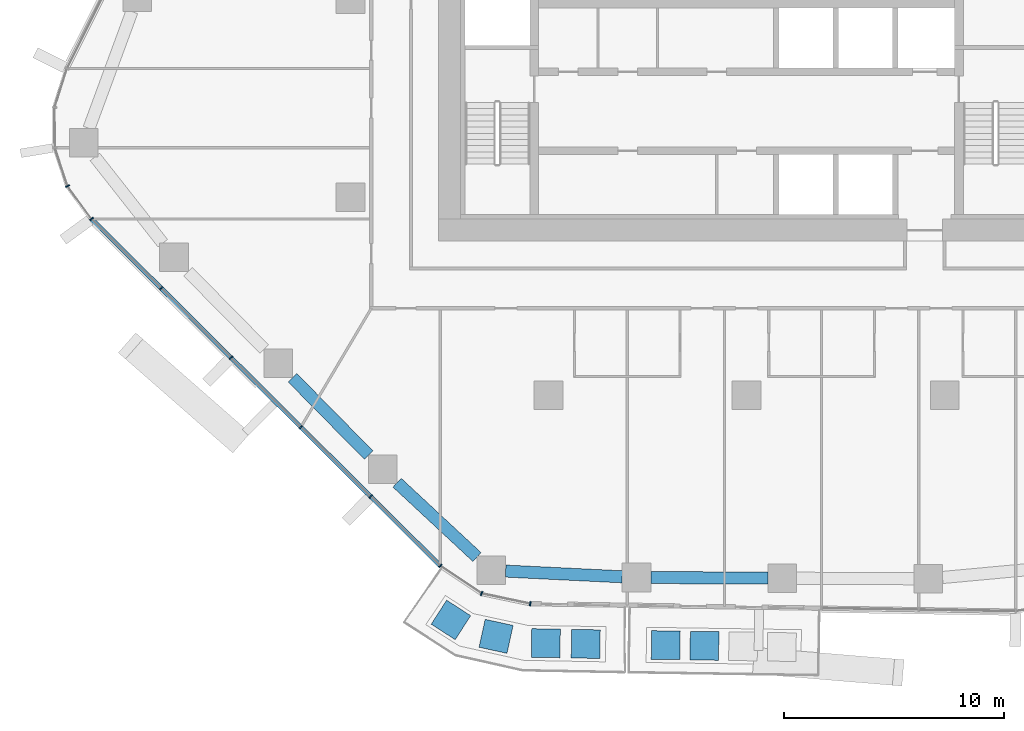
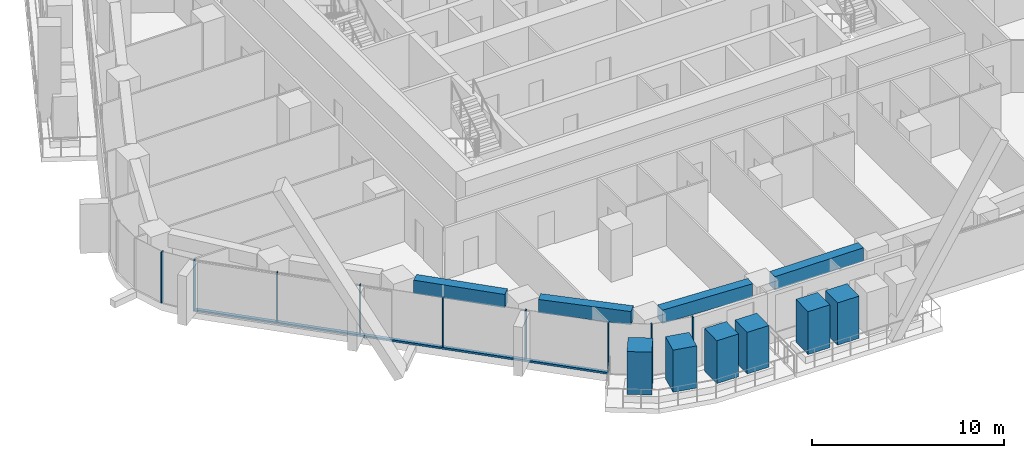
# One storey, part 2 of 25: 16 members, 4 beams, 3 elements without a shape of their own.
"""IFC4 building model written with IfcOpenShell, lengths in metres."""

from ifc_helpers import new_model, si_unit, direction, frame, origin, origin_2d, place, context, subcontext, project, spatial, rectangle, extrude, material, layer, layer_set, material_profile, profile_set, type_object, element, aggregate, save


model = new_model("IFC4")

# Units and contexts
model_context = context("Model", 3, precision=1e-05, world=origin(), true_north=direction((0.0, 1.0)))
body_context = subcontext(model_context, "Body", "Model", "MODEL_VIEW")
ifc_project = project(units=[si_unit("LENGTHUNIT", "METRE"), si_unit("AREAUNIT", "SQUARE_METRE"), si_unit("VOLUMEUNIT", "CUBIC_METRE"), si_unit("PLANEANGLEUNIT", "RADIAN"), si_unit("MASSUNIT", "GRAM", prefix="KILO")], contexts=[model_context])

# Site, building, storey
site_placement = place(None, origin())
site = spatial("IfcSite", under=ifc_project, at=site_placement, CompositionType="ELEMENT")
building_placement = place(site_placement, origin())
building = spatial("IfcBuilding", under=site, at=building_placement, Name="Dongbaek Canopy Tower", CompositionType="ELEMENT")
storey_placement = place(building_placement, frame((0.0, 0.0, 102.60009765625)))
storey = spatial("IfcBuildingStorey", under=building, at=storey_placement, Name="L21", CompositionType="ELEMENT", Elevation=102.60009765625)

# Curtain wall, members
ifc_material_1 = material(Name="Aluminium 6063-T6 pale anodised", Category="aluminium")
ifc_layer = layer(ifc_material_1, 0.199951171875)
ifc_layer_set = layer_set([ifc_layer], Name="CW-1 unitised tower curtain wall")
curtain_wall_type = type_object("IfcCurtainWallType", Name="CW-1 unitised tower curtain wall", PredefinedType="NOTDEFINED", material=ifc_layer_set)
curtain_wall_1_placement = place(storey_placement, origin())
curtain_wall_1 = element("IfcCurtainWall", 1, at=curtain_wall_1_placement, inside=storey, type_object=curtain_wall_type, Name="CW-1 curtain wall K3.1", PredefinedType="NOTDEFINED")
ifc_material_2 = material(Name="Aluminium 6063-T6 pale anodised", Category="aluminium")
ifc_material_profile_1 = material_profile(ifc_material_2, rectangle(XDim=0.199951171875, YDim=0.06005859375, at=origin_2d()), Name="CW-1 mullion 60 x 200")
ifc_profile_set_1 = profile_set([ifc_material_profile_1], Name="Aluminium 6063-T6 pale anodised")
member_type_1 = type_object("IfcMemberType", Name="CW-1 mullion 60 x 200", PredefinedType="MULLION", material=ifc_profile_set_1)
member_1_placement = place(storey_placement, frame((-30.861328125, -8.502685546875, 0.0), z_axis=(0.0, 0.0, 1.0), x_axis=(-0.889270102172, -0.457382427934, 0.0)))
member_1 = element("IfcMember", 2, at=member_1_placement, type_object=member_type_1, Name="CW-1 mullion K3.1.4", PredefinedType="MULLION", context=body_context, shape_type="SweptSolid", body=[
    extrude(rectangle(XDim=0.199951171875, YDim=0.06005859375, at=origin_2d()), origin(), (0.0, 0.0, 1.0), 3.25),
])
member_2_placement = place(storey_placement, frame((-29.770263671875, -9.993896484375, 0.0), z_axis=(0.0, 0.0, 1.0), x_axis=(-0.80706183949, -0.59046692307, 0.0)))
member_2 = element("IfcMember", 3, at=member_2_placement, type_object=member_type_1, Name="CW-1 mullion K3.1.5", PredefinedType="MULLION", context=body_context, shape_type="SweptSolid", body=[
    extrude(rectangle(XDim=0.199951171875, YDim=0.06005859375, at=origin_2d()), origin(), (0.0, 0.0, 1.0), 3.25),
])
aggregate(curtain_wall_1, [member_1, member_2])

curtain_wall_2_placement = place(storey_placement, origin())
curtain_wall_2 = element("IfcCurtainWall", 4, at=curtain_wall_2_placement, inside=storey, type_object=curtain_wall_type, Name="CW-1 curtain wall F3.1", PredefinedType="NOTDEFINED")
member_3_placement = place(storey_placement, frame((-26.6025390625, -13.143798828125, 0.119873046875), z_axis=(0.0, 0.0, 1.0), x_axis=(-0.705105030819, -0.709102880768, 0.0)))
member_3 = element("IfcMember", 5, at=member_3_placement, type_object=member_type_1, Name="CW-1 mullion F3.1.2", PredefinedType="MULLION", context=body_context, shape_type="SweptSolid", body=[
    extrude(rectangle(XDim=0.199951171875, YDim=0.06005859375, at=origin_2d()), origin(), (0.0, 0.0, 1.0), 3.130126953125),
])
member_4_placement = place(storey_placement, frame((-23.42919921875, -16.299072265625, 0.119873046875), z_axis=(0.0, 0.0, 1.0), x_axis=(-0.705105030819, -0.709102880768, 0.0)))
member_4 = element("IfcMember", 6, at=member_4_placement, type_object=member_type_1, Name="CW-1 mullion F3.1.3", PredefinedType="MULLION", context=body_context, shape_type="SweptSolid", body=[
    extrude(rectangle(XDim=0.199951171875, YDim=0.06005859375, at=origin_2d()), origin(), (0.0, 0.0, 1.0), 3.130126953125),
])
member_5_placement = place(storey_placement, frame((-20.256103515625, -19.45458984375, 0.119873046875), z_axis=(0.0, 0.0, 1.0), x_axis=(-0.705105030819, -0.709102880768, 0.0)))
member_5 = element("IfcMember", 7, at=member_5_placement, type_object=member_type_1, Name="CW-1 mullion F3.1.4", PredefinedType="MULLION", context=body_context, shape_type="SweptSolid", body=[
    extrude(rectangle(XDim=0.199951171875, YDim=0.06005859375, at=origin_2d()), origin(), (0.0, 0.0, 1.0), 3.130126953125),
])
member_6_placement = place(storey_placement, frame((-17.082763671875, -22.60986328125, 0.119873046875), z_axis=(0.0, 0.0, 1.0), x_axis=(-0.705105030819, -0.709102880768, 0.0)))
member_6 = element("IfcMember", 8, at=member_6_placement, type_object=member_type_1, Name="CW-1 mullion F3.1.5", PredefinedType="MULLION", context=body_context, shape_type="SweptSolid", body=[
    extrude(rectangle(XDim=0.199951171875, YDim=0.06005859375, at=origin_2d()), origin(), (0.0, 0.0, 1.0), 3.130126953125),
])
member_7_placement = place(storey_placement, frame((-13.91650390625, -25.75830078125, 0.119873046875), z_axis=(0.0, 0.0, 1.0), x_axis=(-0.705105030819, -0.709102880768, 0.0)))
member_7 = element("IfcMember", 9, at=member_7_placement, type_object=member_type_1, Name="CW-1 mullion F3.1.6", PredefinedType="MULLION", context=body_context, shape_type="SweptSolid", body=[
    extrude(rectangle(XDim=0.199951171875, YDim=0.06005859375, at=origin_2d()), origin(), (0.0, 0.0, 1.0), 3.130126953125),
])

curtain_wall_3_placement = place(storey_placement, origin())
curtain_wall_3 = element("IfcCurtainWall", 10, at=curtain_wall_3_placement, inside=storey, type_object=curtain_wall_type, Name="CW-1 curtain wall K4.1", PredefinedType="NOTDEFINED")
member_8_placement = place(storey_placement, frame((-12.040771484375, -27.016357421875, 0.0), z_axis=(0.0, 0.0, 1.0), x_axis=(-0.38849005689, -0.921452915616, 0.0)))
member_8 = element("IfcMember", 11, at=member_8_placement, type_object=member_type_1, Name="CW-1 mullion K4.1.2", PredefinedType="MULLION", context=body_context, shape_type="SweptSolid", body=[
    extrude(rectangle(XDim=0.199951171875, YDim=0.06005859375, at=origin_2d()), origin(), (0.0, 0.0, 1.0), 3.25),
])
member_9_placement = place(storey_placement, frame((-9.830810546875, -27.48095703125, 0.0), z_axis=(0.0, 0.0, 1.0), x_axis=(-0.205723466931, -0.978610165057, 0.0)))
member_9 = element("IfcMember", 12, at=member_9_placement, type_object=member_type_1, Name="CW-1 mullion K4.1.3", PredefinedType="MULLION", context=body_context, shape_type="SweptSolid", body=[
    extrude(rectangle(XDim=0.199951171875, YDim=0.06005859375, at=origin_2d()), origin(), (0.0, 0.0, 1.0), 3.25),
])
aggregate(curtain_wall_3, [member_8, member_9])

# Member
ifc_material_3 = material(Name="Aluminium 6063-T6 pale anodised", Category="aluminium")
ifc_material_profile_2 = material_profile(ifc_material_3, rectangle(XDim=0.199951171875, YDim=0.1201171875, at=origin_2d()), Name="CW-1 transom 120 x 200")
ifc_profile_set_2 = profile_set([ifc_material_profile_2], Name="Aluminium 6063-T6 pale anodised")
member_type_2 = type_object("IfcMemberType", Name="CW-1 transom 120 x 200", PredefinedType="USERDEFINED", material=ifc_profile_set_2)
member_10_placement = place(storey_placement, frame((-29.770263671875, -9.993896484375, 0.059814453125), z_axis=(0.709102289991, -0.705105624945, 0.0), x_axis=(0.705105624945, 0.709102289991, 0.0)))
member_10 = element("IfcMember", 13, at=member_10_placement, type_object=member_type_2, Name="CW-1 transom F3.1.1", ObjectType="TRANSOM", PredefinedType="USERDEFINED", context=body_context, shape_type="SweptSolid", body=[
    extrude(rectangle(XDim=0.199951171875, YDim=0.1201171875, at=origin_2d()), origin(), (0.0, 0.0, 1.0), 22.357421875),
])

aggregate(curtain_wall_2, [member_3, member_4, member_5, member_6, member_7, member_10])

# Beams
ifc_material_4 = material(Name="Concrete C80", Category="concrete")
ifc_material_profile_3 = material_profile(ifc_material_4, rectangle(XDim=0.550048828125, YDim=0.85009765625, at=origin_2d()), Name="RC EDGE BEAM 550x850 C80")
ifc_profile_set_3 = profile_set([ifc_material_profile_3], Name="Concrete C80")
beam_type = type_object("IfcBeamType", Name="RC EDGE BEAM 550x850 C80", PredefinedType="BEAM", material=ifc_profile_set_3)
beam_1_placement = place(storey_placement, frame((0.97900390625, -26.316162109375, 2.875), z_axis=(-0.999990328846, 0.004397978357, 0.0), x_axis=(-0.004397978357, -0.999990328846, 0.0)))
element("IfcBeam", 14, at=beam_1_placement, inside=storey, type_object=beam_type, Name="EDGEBEAM:L21:02", PredefinedType="BEAM", context=body_context, shape_type="SweptSolid", body=[
    extrude(rectangle(XDim=0.550048828125, YDim=0.85009765625, at=origin_2d()), origin(), (0.0, 0.0, 1.0), 5.3291015625),
])
beam_2_placement = place(storey_placement, frame((-5.64990234375, -26.258056640625, 2.875), z_axis=(-0.998796128786, 0.049053981722, 0.0), x_axis=(-0.049053981722, -0.998796128786, 0.0)))
element("IfcBeam", 15, at=beam_2_placement, inside=storey, type_object=beam_type, Name="EDGEBEAM:L21:03", PredefinedType="BEAM", context=body_context, shape_type="SweptSolid", body=[
    extrude(rectangle(XDim=0.550048828125, YDim=0.85009765625, at=origin_2d()), origin(), (0.0, 0.0, 1.0), 5.305419921875),
])
beam_3_placement = place(storey_placement, frame((-12.2490234375, -25.361328125, 2.875), z_axis=(-0.732272884801, 0.681011323097, 0.0), x_axis=(-0.681011323097, -0.732272884801, 0.0)))
element("IfcBeam", 16, at=beam_3_placement, inside=storey, type_object=beam_type, Name="EDGEBEAM:L21:04", PredefinedType="BEAM", context=body_context, shape_type="SweptSolid", body=[
    extrude(rectangle(XDim=0.550048828125, YDim=0.85009765625, at=origin_2d()), origin(), (0.0, 0.0, 1.0), 4.962646484375),
])
beam_4_placement = place(storey_placement, frame((-17.173095703125, -20.72705078125, 2.875), z_axis=(-0.701695422573, 0.712477040992, 0.0), x_axis=(-0.712477040992, -0.701695422573, 0.0)))
element("IfcBeam", 17, at=beam_4_placement, inside=storey, type_object=beam_type, Name="EDGEBEAM:L21:05", PredefinedType="BEAM", context=body_context, shape_type="SweptSolid", body=[
    extrude(rectangle(XDim=0.550048828125, YDim=0.85009765625, at=origin_2d()), origin(), (0.0, 0.0, 1.0), 4.9365234375),
])

# Members
ifc_material_5 = material(Name="Concrete C40/50 planter mass with planting", Category="concrete")
ifc_material_profile_4 = material_profile(ifc_material_5, rectangle(XDim=1.300048828125, YDim=1.300048828125, at=origin_2d()), Name="Terrace PLANTER shrub mass 1300 x 1300")
ifc_profile_set_4 = profile_set([ifc_material_profile_4], Name="Concrete C40/50 planter mass with planting")
member_type_3 = type_object("IfcMemberType", Name="Terrace PLANTER shrub mass 1300 x 1300", PredefinedType="USERDEFINED", material=ifc_profile_set_4)
member_11_placement = place(storey_placement, frame((-3.672119140625, -29.365966796875, 0.419921875), z_axis=(0.0, 0.0, 1.0), x_axis=(-0.015412878639, -0.999881214531, 0.0)))
element("IfcMember", 18, at=member_11_placement, inside=storey, type_object=member_type_3, Name="Planter shrubs L21 4.1", ObjectType="PLANTER", PredefinedType="USERDEFINED", context=body_context, shape_type="SweptSolid", body=[
    extrude(rectangle(XDim=1.300048828125, YDim=1.300048828125, at=origin_2d()), origin(), (0.0, 0.0, 1.0), 2.72998046875),
])
member_12_placement = place(storey_placement, frame((-1.91357421875, -29.39306640625, 0.419921875), z_axis=(0.0, 0.0, 1.0), x_axis=(-0.015412878639, -0.999881214531, 0.0)))
element("IfcMember", 19, at=member_12_placement, inside=storey, type_object=member_type_3, Name="Planter shrubs L21 4.2", ObjectType="PLANTER", PredefinedType="USERDEFINED", context=body_context, shape_type="SweptSolid", body=[
    extrude(rectangle(XDim=1.300048828125, YDim=1.300048828125, at=origin_2d()), origin(), (0.0, 0.0, 1.0), 2.68994140625),
])
member_13_placement = place(storey_placement, frame((-13.434814453125, -28.218017578125, 0.419921875), z_axis=(0.0, 0.0, 1.0), x_axis=(-0.541408983578, -0.840759366585, 0.0)))
element("IfcMember", 20, at=member_13_placement, inside=storey, type_object=member_type_3, Name="Planter shrubs L21 8.1", ObjectType="PLANTER", PredefinedType="USERDEFINED", context=body_context, shape_type="SweptSolid", body=[
    extrude(rectangle(XDim=1.300048828125, YDim=1.300048828125, at=origin_2d()), origin(), (0.0, 0.0, 1.0), 2.72998046875),
])
member_14_placement = place(storey_placement, frame((-11.38330078125, -28.9638671875, 0.419921875), z_axis=(0.0, 0.0, 1.0), x_axis=(-0.213916101138, -0.976852036735, 0.0)))
element("IfcMember", 21, at=member_14_placement, inside=storey, type_object=member_type_3, Name="Planter shrubs L21 8.2", ObjectType="PLANTER", PredefinedType="USERDEFINED", context=body_context, shape_type="SweptSolid", body=[
    extrude(rectangle(XDim=1.300048828125, YDim=1.300048828125, at=origin_2d()), origin(), (0.0, 0.0, 1.0), 2.68994140625),
])
member_15_placement = place(storey_placement, frame((-9.12255859375, -29.276123046875, 0.419921875), z_axis=(0.0, 0.0, 1.0), x_axis=(-0.017552074933, -0.999845950467, 0.0)))
element("IfcMember", 22, at=member_15_placement, inside=storey, type_object=member_type_3, Name="Planter shrubs L21 8.3", ObjectType="PLANTER", PredefinedType="USERDEFINED", context=body_context, shape_type="SweptSolid", body=[
    extrude(rectangle(XDim=1.300048828125, YDim=1.300048828125, at=origin_2d()), origin(), (0.0, 0.0, 1.0), 2.72998046875),
])
member_16_placement = place(storey_placement, frame((-7.308349609375, -29.30810546875, 0.419921875), z_axis=(0.0, 0.0, 1.0), x_axis=(-0.017552074933, -0.999845950467, 0.0)))
element("IfcMember", 23, at=member_16_placement, inside=storey, type_object=member_type_3, Name="Planter shrubs L21 8.4", ObjectType="PLANTER", PredefinedType="USERDEFINED", context=body_context, shape_type="SweptSolid", body=[
    extrude(rectangle(XDim=1.300048828125, YDim=1.300048828125, at=origin_2d()), origin(), (0.0, 0.0, 1.0), 2.64990234375),
])

save(model, "model.ifc")
